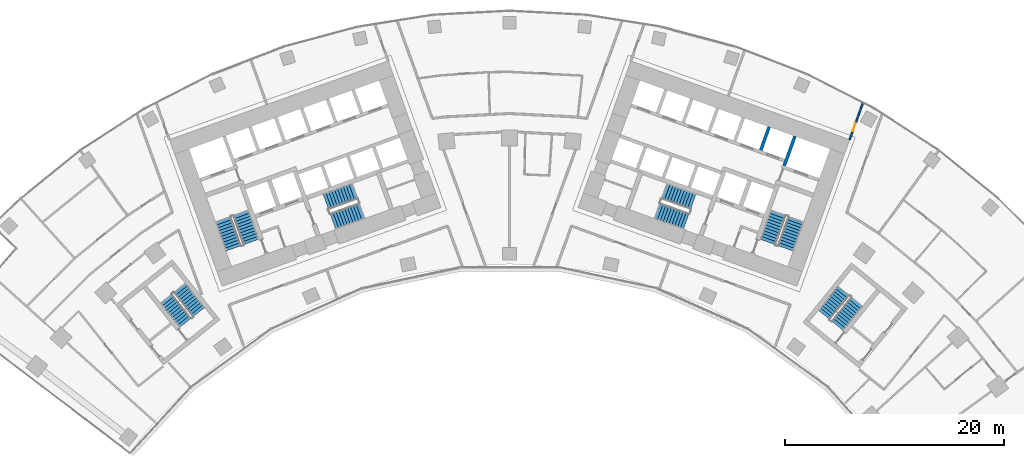
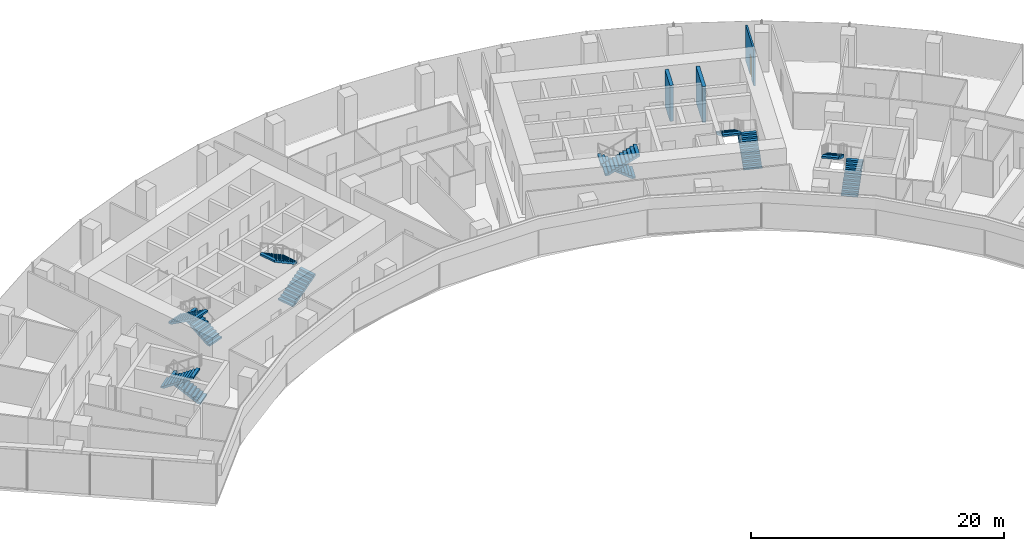
# One storey, part 19 of 21: 12 stair flights, 3 walls, 1 door, 1 opening, 6 elements without a shape of their own.
"""IFC4 building model written with IfcOpenShell, lengths in metres."""

import ifcopenshell
import ifcopenshell.guid

model = None  # the IFC model being written
_history = None  # IfcOwnerHistory: only IFC2X3 demands one
_inside = {}  # id of a spatial element -> (the spatial element, [elements in it])
_under = {}  # id of a project, library or spatial element -> (it, [spatial elements below it])
_declared = {}  # id of a project -> (the project, [libraries it declares])
_typed = {}  # id of a type object -> (the type object, [elements of that type])
_made_of = {}  # id of a material, layer set ... -> (it, [elements and type objects made of it])


def new_model(schema):
    """Start an empty IFC model of exactly this schema.

    Asked for "IFC4X3", IfcOpenShell would pick the latest addendum, in which some entities
    have other attributes; the version numbers below select the first issue.
    IFC2X3 requires an IfcOwnerHistory on every rooted entity: one is made here for all.
    """
    global model, _history
    if schema == "IFC4X3":
        model = ifcopenshell.file(schema_version=(4, 3, 0, 0))
    else:
        model = ifcopenshell.file(schema=schema)
    _inside.clear()
    _under.clear()
    _declared.clear()
    _typed.clear()
    _made_of.clear()
    _history = None
    if model.schema == "IFC2X3":
        org = make("IfcOrganization", Name="unknown")
        user = make(
            "IfcPersonAndOrganization",
            ThePerson=make("IfcPerson", FamilyName="unknown"),
            TheOrganization=org,
        )
        app = make(
            "IfcApplication",
            ApplicationDeveloper=org,
            Version="unknown",
            ApplicationFullName="unknown",
            ApplicationIdentifier="unknown",
        )
        _history = make(
            "IfcOwnerHistory",
            OwningUser=user,
            OwningApplication=app,
            ChangeAction="ADDED",
            CreationDate=0,
        )
    return model


def make(cls, **values):
    """One entity of the class cls with the attributes given. An attribute that is None is left unset."""
    return model.create_entity(
        cls, **{name: value for name, value in values.items() if value is not None}
    )


def rooted(cls, **values):
    """An entity with a GlobalId (a new one), such as an element, a storey or a relation."""
    return make(cls, GlobalId=ifcopenshell.guid.new(), OwnerHistory=_history, **values)


def si_unit(unit_type, name, prefix=None):
    """IfcSIUnit, for example si_unit("LENGTHUNIT", "METRE", prefix="MILLI")."""
    return make("IfcSIUnit", UnitType=unit_type, Prefix=prefix, Name=name)


def assignment(units):
    """IfcUnitAssignment: the units of a project."""
    return None if units is None else make("IfcUnitAssignment", Units=units)


def point(xyz):
    """IfcCartesianPoint."""
    return None if xyz is None else make("IfcCartesianPoint", Coordinates=xyz)


def direction(xyz):
    """IfcDirection."""
    return None if xyz is None else make("IfcDirection", DirectionRatios=xyz)


def frame(location, z_axis=None, x_axis=None):
    """IfcAxis2Placement3D, a coordinate frame: its origin and axes. An axis left out is left unset."""
    return make(
        "IfcAxis2Placement3D",
        Location=point(location),
        Axis=direction(z_axis),
        RefDirection=direction(x_axis),
    )


def frame_2d(location, x_axis=None):
    """IfcAxis2Placement2D, a coordinate frame in the plane: its origin and x axis."""
    return make(
        "IfcAxis2Placement2D", Location=point(location), RefDirection=direction(x_axis)
    )


def origin():
    """The frame at (0, 0, 0) with its axes left unset."""
    return frame((0.0, 0.0, 0.0))


def place(relative_to, where):
    """IfcLocalPlacement: puts the frame where relative to a parent placement (None: the world)."""
    return make(
        "IfcLocalPlacement", PlacementRelTo=relative_to, RelativePlacement=where
    )


def context(
    kind, dimensions, precision=None, world=None, true_north=None, identifier=None
):
    """IfcGeometricRepresentationContext, for example the 3D "Model" context."""
    return make(
        "IfcGeometricRepresentationContext",
        ContextIdentifier=identifier,
        ContextType=kind,
        CoordinateSpaceDimension=dimensions,
        Precision=precision,
        WorldCoordinateSystem=world,
        TrueNorth=true_north,
    )


def subcontext(parent, identifier, kind, view, scale=None):
    """IfcGeometricRepresentationSubContext, for example "Body" below "Model"."""
    return make(
        "IfcGeometricRepresentationSubContext",
        ContextIdentifier=identifier,
        ContextType=kind,
        ParentContext=parent,
        TargetScale=scale,
        TargetView=view,
    )


def project(units=None, contexts=None):
    """IfcProject with its units and contexts."""
    return rooted(
        "IfcProject",
        Name="project",
        RepresentationContexts=contexts,
        UnitsInContext=assignment(units),
    )


def spatial(cls, under=None, at=None, **own):
    """A site, building, storey or space (cls), placed at a placement, below another one or the project."""
    s = rooted(cls, ObjectPlacement=at, **own)
    if under is not None:
        _under.setdefault(under.id(), (under, []))[1].append(s)
    return s


def polyline(points):
    """IfcPolyline through the points."""
    return make("IfcPolyline", Points=[point(p) for p in points])


def profile(cls, at=None, kind="AREA", **sizes):
    """A parametric profile (cls). Its sizes go by their IFC names, for example OverallWidth=200.0."""
    return make(cls, ProfileType=kind, Position=at, **sizes)


def rectangle(**sizes):
    """IfcRectangleProfileDef."""
    return profile("IfcRectangleProfileDef", **sizes)


def outline(outer, holes=None, kind="AREA"):
    """IfcArbitraryClosedProfileDef: a profile drawn as a closed curve; with holes, ...WithVoids."""
    if holes is None:
        return make("IfcArbitraryClosedProfileDef", ProfileType=kind, OuterCurve=outer)
    return make(
        "IfcArbitraryProfileDefWithVoids",
        ProfileType=kind,
        OuterCurve=outer,
        InnerCurves=holes,
    )


def extrude(swept, where, along, depth):
    """IfcExtrudedAreaSolid: the profile swept, set in the frame where, extruded along a direction by depth."""
    return make(
        "IfcExtrudedAreaSolid",
        SweptArea=swept,
        Position=where,
        ExtrudedDirection=direction(along),
        Depth=depth,
    )


def shape(context_of_items, identifier, shape_type, items):
    """IfcShapeRepresentation: the items that make up one representation, for example the "Body"."""
    return make(
        "IfcShapeRepresentation",
        ContextOfItems=context_of_items,
        RepresentationIdentifier=identifier,
        RepresentationType=shape_type,
        Items=items,
    )


def material(Name=None, Category=None):
    """IfcMaterial."""
    return make("IfcMaterial", Name=Name, Category=Category)


def layer(
    of_material, thickness, ventilated=None, Name=None, Category=None, Priority=None
):
    """IfcMaterialLayer: one layer of a wall or slab, of a material (None: an air gap)."""
    return make(
        "IfcMaterialLayer",
        Material=of_material,
        LayerThickness=thickness,
        IsVentilated=ventilated,
        Name=Name,
        Category=Category,
        Priority=Priority,
    )


def layer_set(layers, Name=None):
    """IfcMaterialLayerSet."""
    return make("IfcMaterialLayerSet", MaterialLayers=layers, LayerSetName=Name)


def made_of(thing, what):
    """Note that an element or type object is made of a material, layer set ...; save() writes the relation."""
    if what is not None:
        _made_of.setdefault(what.id(), (what, []))[1].append(thing)
    return thing


def type_object(cls, material=None, **own):
    """A type object (cls), such as IfcWallType, which elements share."""
    return made_of(rooted(cls, **own), material)


def element(
    cls,
    number,
    at=None,
    inside=None,
    cuts=None,
    type_object=None,
    material=None,
    context=None,
    identifier="Body",
    shape_type=None,
    held_by="IfcProductDefinitionShape",
    body=None,
    shapes=None,
    **own,
):
    """One element of the class cls, such as IfcWall. Its Tag is "e" and its number.

    at: its placement. inside: the storey or other place that contains it. cuts: it is an
    opening in that element (IfcRelVoidsElement). A single representation is given by context,
    identifier, shape_type and body (its items); several are given by shapes. held_by: the class
    of the entity that holds the representations. save() writes the other relations.
    """
    e = rooted(cls, Tag="e%d" % number, ObjectPlacement=at, **own)
    if body is not None:
        shapes = [shape(context, identifier, shape_type, body)]
    if shapes is not None:
        e.Representation = make(held_by, Representations=shapes)
    if inside is not None:
        _inside.setdefault(inside.id(), (inside, []))[1].append(e)
    if cuts is not None:
        rooted(
            "IfcRelVoidsElement", RelatingBuildingElement=cuts, RelatedOpeningElement=e
        )
    if type_object is not None:
        _typed.setdefault(type_object.id(), (type_object, []))[1].append(e)
    return made_of(e, material)


def fill(opening, filler):
    """IfcRelFillsElement: the door or window that sits in an opening."""
    return rooted(
        "IfcRelFillsElement",
        RelatingOpeningElement=opening,
        RelatedBuildingElement=filler,
    )


def aggregate(whole, parts):
    """IfcRelAggregates: a whole, such as a stair, and the parts it consists of."""
    return rooted("IfcRelAggregates", RelatingObject=whole, RelatedObjects=parts)


def save(model, path):
    """Write the relations noted so far, then the file.

    IfcRelAggregates (storeys below a building ...), IfcRelContainedInSpatialStructure (elements
    in a storey), IfcRelDefinesByType, IfcRelAssociatesMaterial and IfcRelDeclares: one each for
    every whole, place, type object, material and project.
    """
    for whole, parts in _under.values():
        aggregate(whole, parts)
    for where, things in _inside.values():
        rooted(
            "IfcRelContainedInSpatialStructure",
            RelatedElements=things,
            RelatingStructure=where,
        )
    for kind, things in _typed.values():
        rooted("IfcRelDefinesByType", RelatedObjects=things, RelatingType=kind)
    for what, things in _made_of.values():
        rooted("IfcRelAssociatesMaterial", RelatedObjects=things, RelatingMaterial=what)
    for by, libraries in _declared.values():
        rooted("IfcRelDeclares", RelatingContext=by, RelatedDefinitions=libraries)
    model.write(path)


model = new_model("IFC4")

# Units and contexts
model_context = context("Model", 3, precision=1e-05, world=origin(), true_north=direction((0.0, 1.0)))
body_context = subcontext(model_context, "Body", "Model", "MODEL_VIEW")
ifc_project = project(units=[si_unit("LENGTHUNIT", "METRE"), si_unit("AREAUNIT", "SQUARE_METRE"), si_unit("VOLUMEUNIT", "CUBIC_METRE"), si_unit("PLANEANGLEUNIT", "RADIAN"), si_unit("MASSUNIT", "GRAM", prefix="KILO")], contexts=[model_context])

# Site, building, storey
site_placement = place(None, origin())
site = spatial("IfcSite", under=ifc_project, at=site_placement, CompositionType="ELEMENT")
building_placement = place(site_placement, origin())
building = spatial("IfcBuilding", under=site, at=building_placement, Name="Stone Belt Terrace Tower", CompositionType="ELEMENT")
storey_placement = place(building_placement, frame((0.0, 0.0, 90.800048828125)))
storey = spatial("IfcBuildingStorey", under=building, at=storey_placement, Name="L21", CompositionType="ELEMENT", Elevation=90.800048828125)

# Walls
ifc_material_1 = material(Name="Concrete B80", Category="concrete")
ifc_layer_1 = layer(ifc_material_1, 0.300048828125)
ifc_layer_set_1 = layer_set([ifc_layer_1], Name="Lift shaft wall 300")
wall_type_1 = type_object("IfcWallType", Name="Lift shaft wall 300", PredefinedType="SHEAR", material=ifc_layer_set_1)
wall_1_placement = place(storey_placement, frame((25.046875, 52.46826171875, 0.0), z_axis=(0.0, 0.0, 1.0), x_axis=(0.338549588058, 0.940948551423, 0.0)))
element("IfcWall", 1, at=wall_1_placement, inside=storey, type_object=wall_type_1, Name="Core B wall", PredefinedType="SHEAR", context=body_context, shape_type="SweptSolid", body=[
    extrude(rectangle(XDim=2.849853515625, YDim=0.300048828125, at=frame_2d((1.4248046875, 0.0))), origin(), (0.0, 0.0, 1.0), 3.47998046875),
])
wall_2_placement = place(storey_placement, frame((22.897705078125, 53.87939453125, 0.0), z_axis=(0.0, 0.0, 1.0), x_axis=(0.338535034312, 0.940953787677, 0.0)))
element("IfcWall", 2, at=wall_2_placement, inside=storey, type_object=wall_type_1, Name="Core B wall", PredefinedType="SHEAR", context=body_context, shape_type="SweptSolid", body=[
    extrude(rectangle(XDim=2.25, YDim=0.300048828125, at=frame_2d((1.125, 0.0))), origin(), (0.0, 0.0, 1.0), 3.47998046875),
])

# Wall, opening, door
ifc_material_2 = material(Name="Gypsum board partition")
ifc_layer_2 = layer(ifc_material_2, 0.14990234375)
ifc_layer_set_2 = layer_set([ifc_layer_2], Name="PARTITION 150 EI 60")
wall_type_2 = type_object("IfcWallType", Name="PARTITION 150 EI 60", PredefinedType="PARTITIONING", material=ifc_layer_set_2)
wall_3_placement = place(storey_placement, frame((31.001953125, 54.842041015625, 0.0), z_axis=(0.0, 0.0, 1.0), x_axis=(0.338573586736, 0.940939916448, 0.0)))
wall_3 = element("IfcWall", 3, at=wall_3_placement, inside=storey, type_object=wall_type_2, Name="L21/wall/i021", PredefinedType="PARTITIONING", context=body_context, shape_type="SweptSolid", body=[
    extrude(rectangle(XDim=3.49658203125, YDim=0.14990234375, at=frame_2d((1.748291015625, 0.0))), origin(), (0.0, 0.0, 1.0), 3.47998046875),
])
opening_placement = place(wall_3_placement, frame((0.82421875, 0.0, 0.0)))
opening = element("IfcOpeningElement", 4, at=opening_placement, cuts=wall_3, Name="Opening D-B2-08", PredefinedType="OPENING", context=body_context, shape_type="SweptSolid", body=[
    extrude(rectangle(XDim=0.800048828125, YDim=2.10009765625, at=frame_2d((0.39990234375, 1.050048828125))), frame((0.0, 0.0849609375, 0.0), z_axis=(0.0, -1.0, 0.0), x_axis=(1.0, 0.0, 0.0)), (0.0, 0.0, 1.0), 0.169921875),
])
ifc_material_3 = material(Name="Timber door leaf", Category="wood")
door_type = type_object("IfcDoorType", Name="STORE DOOR 800 X 2100", OperationType="NOTDEFINED", PredefinedType="DOOR", material=ifc_material_3)
door_placement = place(opening_placement, origin())
door = element("IfcDoor", 5, at=door_placement, inside=storey, type_object=door_type, Name="L21/door/i08", OperationType="SINGLE_SWING_LEFT", OverallHeight=2.10009765625, OverallWidth=0.800048828125, PredefinedType="DOOR", context=body_context, shape_type="SweptSolid", body=[
    extrude(rectangle(XDim=0.800048828125, YDim=2.10009765625, at=frame_2d((0.39990234375, 1.050048828125))), frame((0.0, 0.02490234375, 0.0), z_axis=(0.0, -1.0, 0.0), x_axis=(1.0, 0.0, 0.0)), (0.0, 0.0, 1.0), 0.050048828125),
])
fill(opening, door)

# Stair, stair flights
ifc_material_4 = material(Name="Concrete B40", Category="concrete")
stair_type = type_object("IfcStairType", Name="Exit stair 1500", PredefinedType="HALF_TURN_STAIR", material=ifc_material_4)
stair_1_placement = place(storey_placement, origin())
stair_1 = element("IfcStair", 6, at=stair_1_placement, inside=storey, type_object=stair_type, Name="L21 Exit stair 1 core A", PredefinedType="HALF_TURN_STAIR")
stair_flight_type = type_object("IfcStairFlightType", Name="Stair flight 1500", PredefinedType="STRAIGHT", material=ifc_material_4)
stair_flight_1_placement = place(storey_placement, frame((-23.55322265625, 45.51318359375, 0.0), z_axis=(0.0, 0.0, 1.0), x_axis=(-0.338624396177, 0.940921632398, 0.0)))
stair_flight_1 = element("IfcStairFlight", 7, at=stair_flight_1_placement, type_object=stair_flight_type, Name="ST1A flight 1", NumberOfRisers=11, NumberOfTreads=10, PredefinedType="STRAIGHT", RiserHeight=0.172727273, TreadLength=0.28, context=body_context, shape_type="SweptSolid", body=[
    extrude(outline(polyline([(0.0, 0.0), (0.0, 0.172607421875), (0.280029296875, 0.172607421875), (0.280029296875, 0.345458984375), (0.56005859375, 0.345458984375), (0.56005859375, 0.51806640625), (0.840087890625, 0.51806640625), (0.840087890625, 0.69091796875), (1.1201171875, 0.69091796875), (1.1201171875, 0.863525390625), (1.39990234375, 0.863525390625), (1.39990234375, 1.036376953125), (1.679931640625, 1.036376953125), (1.679931640625, 1.208984375), (1.9599609375, 1.208984375), (1.9599609375, 1.3818359375), (2.239990234375, 1.3818359375), (2.239990234375, 1.554443359375), (2.52001953125, 1.554443359375), (2.52001953125, 1.727294921875), (2.800048828125, 1.727294921875), (2.800048828125, 1.89990234375), (2.800048828125, 1.551025390625), (0.285400390625, 0.0), (0.0, 0.0)])), frame((0.0, 0.75, 0.0), z_axis=(0.0, -1.0, 0.0), x_axis=(1.0, 0.0, 0.0)), (0.0, 0.0, 1.0), 1.5),
])
stair_flight_2_placement = place(storey_placement, frame((-26.10107421875, 47.572021484375, 1.89990234375), z_axis=(0.0, 0.0, 1.0), x_axis=(0.338624396177, -0.940921632398, 0.0)))
stair_flight_2 = element("IfcStairFlight", 8, at=stair_flight_2_placement, type_object=stair_flight_type, Name="ST1A flight 2", NumberOfRisers=11, NumberOfTreads=10, PredefinedType="STRAIGHT", RiserHeight=0.172727273, TreadLength=0.28, context=body_context, shape_type="SweptSolid", body=[
    extrude(outline(polyline([(0.0, 0.0), (0.0, 0.172607421875), (0.280029296875, 0.172607421875), (0.280029296875, 0.345458984375), (0.56005859375, 0.345458984375), (0.56005859375, 0.51806640625), (0.840087890625, 0.51806640625), (0.840087890625, 0.69091796875), (1.1201171875, 0.69091796875), (1.1201171875, 0.863525390625), (1.39990234375, 0.863525390625), (1.39990234375, 1.036376953125), (1.679931640625, 1.036376953125), (1.679931640625, 1.208984375), (1.9599609375, 1.208984375), (1.9599609375, 1.3818359375), (2.239990234375, 1.3818359375), (2.239990234375, 1.554443359375), (2.52001953125, 1.554443359375), (2.52001953125, 1.727294921875), (2.800048828125, 1.727294921875), (2.800048828125, 1.89990234375), (2.800048828125, 1.551025390625), (0.285400390625, 0.0), (0.0, 0.0)])), frame((0.0, 0.75, 0.0), z_axis=(0.0, -1.0, 0.0), x_axis=(1.0, 0.0, 0.0)), (0.0, 0.0, 1.0), 1.5),
])
aggregate(stair_1, [stair_flight_1, stair_flight_2])

stair_2_placement = place(storey_placement, origin())
stair_2 = element("IfcStair", 9, at=stair_2_placement, inside=storey, type_object=stair_type, Name="L21 Exit stair 2 core A", PredefinedType="HALF_TURN_STAIR")
stair_flight_3_placement = place(storey_placement, frame((-16.101318359375, 47.39794921875, 0.0), z_axis=(0.0, 0.0, 1.0), x_axis=(0.940921632398, 0.338624396177, 0.0)))
stair_flight_3 = element("IfcStairFlight", 10, at=stair_flight_3_placement, type_object=stair_flight_type, Name="ST2A flight 1", NumberOfRisers=11, NumberOfTreads=10, PredefinedType="STRAIGHT", RiserHeight=0.172727273, TreadLength=0.28, context=body_context, shape_type="SweptSolid", body=[
    extrude(outline(polyline([(0.0, 0.0), (0.0, 0.172607421875), (0.280029296875, 0.172607421875), (0.280029296875, 0.345458984375), (0.56005859375, 0.345458984375), (0.56005859375, 0.51806640625), (0.840087890625, 0.51806640625), (0.840087890625, 0.69091796875), (1.1201171875, 0.69091796875), (1.1201171875, 0.863525390625), (1.39990234375, 0.863525390625), (1.39990234375, 1.036376953125), (1.679931640625, 1.036376953125), (1.679931640625, 1.208984375), (1.9599609375, 1.208984375), (1.9599609375, 1.3818359375), (2.239990234375, 1.3818359375), (2.239990234375, 1.554443359375), (2.52001953125, 1.554443359375), (2.52001953125, 1.727294921875), (2.800048828125, 1.727294921875), (2.800048828125, 1.89990234375), (2.800048828125, 1.551025390625), (0.285400390625, 0.0), (0.0, 0.0)])), frame((0.0, 0.75, 0.0), z_axis=(0.0, -1.0, 0.0), x_axis=(1.0, 0.0, 0.0)), (0.0, 0.0, 1.0), 1.5),
])
stair_flight_4_placement = place(storey_placement, frame((-14.110107421875, 50.1337890625, 1.89990234375), z_axis=(0.0, 0.0, 1.0), x_axis=(-0.940921632398, -0.338624396177, 0.0)))
stair_flight_4 = element("IfcStairFlight", 11, at=stair_flight_4_placement, type_object=stair_flight_type, Name="ST2A flight 2", NumberOfRisers=11, NumberOfTreads=10, PredefinedType="STRAIGHT", RiserHeight=0.172727273, TreadLength=0.28, context=body_context, shape_type="SweptSolid", body=[
    extrude(outline(polyline([(0.0, 0.0), (0.0, 0.172607421875), (0.280029296875, 0.172607421875), (0.280029296875, 0.345458984375), (0.56005859375, 0.345458984375), (0.56005859375, 0.51806640625), (0.840087890625, 0.51806640625), (0.840087890625, 0.69091796875), (1.1201171875, 0.69091796875), (1.1201171875, 0.863525390625), (1.39990234375, 0.863525390625), (1.39990234375, 1.036376953125), (1.679931640625, 1.036376953125), (1.679931640625, 1.208984375), (1.9599609375, 1.208984375), (1.9599609375, 1.3818359375), (2.239990234375, 1.3818359375), (2.239990234375, 1.554443359375), (2.52001953125, 1.554443359375), (2.52001953125, 1.727294921875), (2.800048828125, 1.727294921875), (2.800048828125, 1.89990234375), (2.800048828125, 1.551025390625), (0.285400390625, 0.0), (0.0, 0.0)])), frame((0.0, 0.75, 0.0), z_axis=(0.0, -1.0, 0.0), x_axis=(1.0, 0.0, 0.0)), (0.0, 0.0, 1.0), 1.5),
])
aggregate(stair_2, [stair_flight_3, stair_flight_4])

stair_3_placement = place(storey_placement, origin())
stair_3 = element("IfcStair", 12, at=stair_3_placement, inside=storey, type_object=stair_type, Name="L21 Exit stair 1 core B", PredefinedType="HALF_TURN_STAIR")
stair_flight_5_placement = place(storey_placement, frame((25.15283203125, 44.9375, 0.0), z_axis=(0.0, 0.0, 1.0), x_axis=(0.338624396177, 0.940921632398, 0.0)))
stair_flight_5 = element("IfcStairFlight", 13, at=stair_flight_5_placement, type_object=stair_flight_type, Name="ST1B flight 1", NumberOfRisers=11, NumberOfTreads=10, PredefinedType="STRAIGHT", RiserHeight=0.172727273, TreadLength=0.28, context=body_context, shape_type="SweptSolid", body=[
    extrude(outline(polyline([(0.0, 0.0), (0.0, 0.172607421875), (0.280029296875, 0.172607421875), (0.280029296875, 0.345458984375), (0.56005859375, 0.345458984375), (0.56005859375, 0.51806640625), (0.840087890625, 0.51806640625), (0.840087890625, 0.69091796875), (1.1201171875, 0.69091796875), (1.1201171875, 0.863525390625), (1.39990234375, 0.863525390625), (1.39990234375, 1.036376953125), (1.679931640625, 1.036376953125), (1.679931640625, 1.208984375), (1.9599609375, 1.208984375), (1.9599609375, 1.3818359375), (2.239990234375, 1.3818359375), (2.239990234375, 1.554443359375), (2.52001953125, 1.554443359375), (2.52001953125, 1.727294921875), (2.800048828125, 1.727294921875), (2.800048828125, 1.89990234375), (2.800048828125, 1.551025390625), (0.285400390625, 0.0), (0.0, 0.0)])), frame((0.0, 0.75, 0.0), z_axis=(0.0, -1.0, 0.0), x_axis=(1.0, 0.0, 0.0)), (0.0, 0.0, 1.0), 1.5),
])
stair_flight_6_placement = place(storey_placement, frame((24.50146484375, 48.147705078125, 1.89990234375), z_axis=(0.0, 0.0, 1.0), x_axis=(-0.338624396177, -0.940921632398, 0.0)))
stair_flight_6 = element("IfcStairFlight", 14, at=stair_flight_6_placement, type_object=stair_flight_type, Name="ST1B flight 2", NumberOfRisers=11, NumberOfTreads=10, PredefinedType="STRAIGHT", RiserHeight=0.172727273, TreadLength=0.28, context=body_context, shape_type="SweptSolid", body=[
    extrude(outline(polyline([(0.0, 0.0), (0.0, 0.172607421875), (0.280029296875, 0.172607421875), (0.280029296875, 0.345458984375), (0.56005859375, 0.345458984375), (0.56005859375, 0.51806640625), (0.840087890625, 0.51806640625), (0.840087890625, 0.69091796875), (1.1201171875, 0.69091796875), (1.1201171875, 0.863525390625), (1.39990234375, 0.863525390625), (1.39990234375, 1.036376953125), (1.679931640625, 1.036376953125), (1.679931640625, 1.208984375), (1.9599609375, 1.208984375), (1.9599609375, 1.3818359375), (2.239990234375, 1.3818359375), (2.239990234375, 1.554443359375), (2.52001953125, 1.554443359375), (2.52001953125, 1.727294921875), (2.800048828125, 1.727294921875), (2.800048828125, 1.89990234375), (2.800048828125, 1.551025390625), (0.285400390625, 0.0), (0.0, 0.0)])), frame((0.0, 0.75, 0.0), z_axis=(0.0, -1.0, 0.0), x_axis=(1.0, 0.0, 0.0)), (0.0, 0.0, 1.0), 1.5),
])
aggregate(stair_3, [stair_flight_5, stair_flight_6])

stair_4_placement = place(storey_placement, origin())
stair_4 = element("IfcStair", 15, at=stair_4_placement, inside=storey, type_object=stair_type, Name="L21 Exit stair 2 core B", PredefinedType="HALF_TURN_STAIR")
stair_flight_7_placement = place(storey_placement, frame((16.74462890625, 49.185546875, 0.0), z_axis=(0.0, 0.0, 1.0), x_axis=(-0.940921632398, 0.338624396177, 0.0)))
stair_flight_7 = element("IfcStairFlight", 16, at=stair_flight_7_placement, type_object=stair_flight_type, Name="ST2B flight 1", NumberOfRisers=11, NumberOfTreads=10, PredefinedType="STRAIGHT", RiserHeight=0.172727273, TreadLength=0.28, context=body_context, shape_type="SweptSolid", body=[
    extrude(outline(polyline([(0.0, 0.0), (0.0, 0.172607421875), (0.280029296875, 0.172607421875), (0.280029296875, 0.345458984375), (0.56005859375, 0.345458984375), (0.56005859375, 0.51806640625), (0.840087890625, 0.51806640625), (0.840087890625, 0.69091796875), (1.1201171875, 0.69091796875), (1.1201171875, 0.863525390625), (1.39990234375, 0.863525390625), (1.39990234375, 1.036376953125), (1.679931640625, 1.036376953125), (1.679931640625, 1.208984375), (1.9599609375, 1.208984375), (1.9599609375, 1.3818359375), (2.239990234375, 1.3818359375), (2.239990234375, 1.554443359375), (2.52001953125, 1.554443359375), (2.52001953125, 1.727294921875), (2.800048828125, 1.727294921875), (2.800048828125, 1.89990234375), (2.800048828125, 1.551025390625), (0.285400390625, 0.0), (0.0, 0.0)])), frame((0.0, 0.75, 0.0), z_axis=(0.0, -1.0, 0.0), x_axis=(1.0, 0.0, 0.0)), (0.0, 0.0, 1.0), 1.5),
])
stair_flight_8_placement = place(storey_placement, frame((13.466796875, 48.345947265625, 1.89990234375), z_axis=(0.0, 0.0, 1.0), x_axis=(0.940921632398, -0.338624396177, 0.0)))
stair_flight_8 = element("IfcStairFlight", 17, at=stair_flight_8_placement, type_object=stair_flight_type, Name="ST2B flight 2", NumberOfRisers=11, NumberOfTreads=10, PredefinedType="STRAIGHT", RiserHeight=0.172727273, TreadLength=0.28, context=body_context, shape_type="SweptSolid", body=[
    extrude(outline(polyline([(0.0, 0.0), (0.0, 0.172607421875), (0.280029296875, 0.172607421875), (0.280029296875, 0.345458984375), (0.56005859375, 0.345458984375), (0.56005859375, 0.51806640625), (0.840087890625, 0.51806640625), (0.840087890625, 0.69091796875), (1.1201171875, 0.69091796875), (1.1201171875, 0.863525390625), (1.39990234375, 0.863525390625), (1.39990234375, 1.036376953125), (1.679931640625, 1.036376953125), (1.679931640625, 1.208984375), (1.9599609375, 1.208984375), (1.9599609375, 1.3818359375), (2.239990234375, 1.3818359375), (2.239990234375, 1.554443359375), (2.52001953125, 1.554443359375), (2.52001953125, 1.727294921875), (2.800048828125, 1.727294921875), (2.800048828125, 1.89990234375), (2.800048828125, 1.551025390625), (0.285400390625, 0.0), (0.0, 0.0)])), frame((0.0, 0.75, 0.0), z_axis=(0.0, -1.0, 0.0), x_axis=(1.0, 0.0, 0.0)), (0.0, 0.0, 1.0), 1.5),
])
aggregate(stair_4, [stair_flight_7, stair_flight_8])

stair_5_placement = place(storey_placement, origin())
stair_5 = element("IfcStair", 18, at=stair_5_placement, inside=storey, type_object=stair_type, Name="L21 Exit stair 3A", PredefinedType="HALF_TURN_STAIR")
stair_flight_9_placement = place(storey_placement, frame((-28.325439453125, 39.1240234375, 0.0), z_axis=(0.0, 0.0, 1.0), x_axis=(-0.623121363691, 0.782125160132, 0.0)))
stair_flight_9 = element("IfcStairFlight", 19, at=stair_flight_9_placement, type_object=stair_flight_type, Name="ST3A flight 1", NumberOfRisers=11, NumberOfTreads=10, PredefinedType="STRAIGHT", RiserHeight=0.172727273, TreadLength=0.28, context=body_context, shape_type="SweptSolid", body=[
    extrude(outline(polyline([(0.0, 0.0), (0.0, 0.172607421875), (0.280029296875, 0.172607421875), (0.280029296875, 0.345458984375), (0.56005859375, 0.345458984375), (0.56005859375, 0.51806640625), (0.840087890625, 0.51806640625), (0.840087890625, 0.69091796875), (1.1201171875, 0.69091796875), (1.1201171875, 0.863525390625), (1.39990234375, 0.863525390625), (1.39990234375, 1.036376953125), (1.679931640625, 1.036376953125), (1.679931640625, 1.208984375), (1.9599609375, 1.208984375), (1.9599609375, 1.3818359375), (2.239990234375, 1.3818359375), (2.239990234375, 1.554443359375), (2.52001953125, 1.554443359375), (2.52001953125, 1.727294921875), (2.800048828125, 1.727294921875), (2.800048828125, 1.89990234375), (2.800048828125, 1.551025390625), (0.285400390625, 0.0), (0.0, 0.0)])), frame((0.0, 0.675048828125, 0.0), z_axis=(0.0, -1.0, 0.0), x_axis=(1.0, 0.0, 0.0)), (0.0, 0.0, 1.0), 1.35009765625),
])
stair_flight_10_placement = place(storey_placement, frame((-31.282470703125, 40.34814453125, 1.89990234375), z_axis=(0.0, 0.0, 1.0), x_axis=(0.623121363691, -0.782125160132, 0.0)))
stair_flight_10 = element("IfcStairFlight", 20, at=stair_flight_10_placement, type_object=stair_flight_type, Name="ST3A flight 2", NumberOfRisers=11, NumberOfTreads=10, PredefinedType="STRAIGHT", RiserHeight=0.172727273, TreadLength=0.28, context=body_context, shape_type="SweptSolid", body=[
    extrude(outline(polyline([(0.0, 0.0), (0.0, 0.172607421875), (0.280029296875, 0.172607421875), (0.280029296875, 0.345458984375), (0.56005859375, 0.345458984375), (0.56005859375, 0.51806640625), (0.840087890625, 0.51806640625), (0.840087890625, 0.69091796875), (1.1201171875, 0.69091796875), (1.1201171875, 0.863525390625), (1.39990234375, 0.863525390625), (1.39990234375, 1.036376953125), (1.679931640625, 1.036376953125), (1.679931640625, 1.208984375), (1.9599609375, 1.208984375), (1.9599609375, 1.3818359375), (2.239990234375, 1.3818359375), (2.239990234375, 1.554443359375), (2.52001953125, 1.554443359375), (2.52001953125, 1.727294921875), (2.800048828125, 1.727294921875), (2.800048828125, 1.89990234375), (2.800048828125, 1.551025390625), (0.285400390625, 0.0), (0.0, 0.0)])), frame((0.0, 0.675048828125, 0.0), z_axis=(0.0, -1.0, 0.0), x_axis=(1.0, 0.0, 0.0)), (0.0, 0.0, 1.0), 1.35009765625),
])
aggregate(stair_5, [stair_flight_9, stair_flight_10])

stair_6_placement = place(storey_placement, origin())
stair_6 = element("IfcStair", 21, at=stair_6_placement, inside=storey, type_object=stair_type, Name="L21 Exit stair 3B", PredefinedType="HALF_TURN_STAIR")
stair_flight_11_placement = place(storey_placement, frame((29.88330078125, 37.887939453125, 0.0), z_axis=(0.0, 0.0, 1.0), x_axis=(0.630205749599, 0.776428176441, 0.0)))
stair_flight_11 = element("IfcStairFlight", 22, at=stair_flight_11_placement, type_object=stair_flight_type, Name="ST3B flight 1", NumberOfRisers=11, NumberOfTreads=10, PredefinedType="STRAIGHT", RiserHeight=0.172727273, TreadLength=0.28, context=body_context, shape_type="SweptSolid", body=[
    extrude(outline(polyline([(0.0, 0.0), (0.0, 0.172607421875), (0.280029296875, 0.172607421875), (0.280029296875, 0.345458984375), (0.56005859375, 0.345458984375), (0.56005859375, 0.51806640625), (0.840087890625, 0.51806640625), (0.840087890625, 0.69091796875), (1.1201171875, 0.69091796875), (1.1201171875, 0.863525390625), (1.39990234375, 0.863525390625), (1.39990234375, 1.036376953125), (1.679931640625, 1.036376953125), (1.679931640625, 1.208984375), (1.9599609375, 1.208984375), (1.9599609375, 1.3818359375), (2.239990234375, 1.3818359375), (2.239990234375, 1.554443359375), (2.52001953125, 1.554443359375), (2.52001953125, 1.727294921875), (2.800048828125, 1.727294921875), (2.800048828125, 1.89990234375), (2.800048828125, 1.551025390625), (0.285400390625, 0.0), (0.0, 0.0)])), frame((0.0, 0.675048828125, 0.0), z_axis=(0.0, -1.0, 0.0), x_axis=(1.0, 0.0, 0.0)), (0.0, 0.0, 1.0), 1.35009765625),
])
stair_flight_12_placement = place(storey_placement, frame((30.4443359375, 41.038818359375, 1.89990234375), z_axis=(0.0, 0.0, 1.0), x_axis=(-0.630205749599, -0.776428176441, 0.0)))
stair_flight_12 = element("IfcStairFlight", 23, at=stair_flight_12_placement, type_object=stair_flight_type, Name="ST3B flight 2", NumberOfRisers=11, NumberOfTreads=10, PredefinedType="STRAIGHT", RiserHeight=0.172727273, TreadLength=0.28, context=body_context, shape_type="SweptSolid", body=[
    extrude(outline(polyline([(0.0, 0.0), (0.0, 0.172607421875), (0.280029296875, 0.172607421875), (0.280029296875, 0.345458984375), (0.56005859375, 0.345458984375), (0.56005859375, 0.51806640625), (0.840087890625, 0.51806640625), (0.840087890625, 0.69091796875), (1.1201171875, 0.69091796875), (1.1201171875, 0.863525390625), (1.39990234375, 0.863525390625), (1.39990234375, 1.036376953125), (1.679931640625, 1.036376953125), (1.679931640625, 1.208984375), (1.9599609375, 1.208984375), (1.9599609375, 1.3818359375), (2.239990234375, 1.3818359375), (2.239990234375, 1.554443359375), (2.52001953125, 1.554443359375), (2.52001953125, 1.727294921875), (2.800048828125, 1.727294921875), (2.800048828125, 1.89990234375), (2.800048828125, 1.551025390625), (0.285400390625, 0.0), (0.0, 0.0)])), frame((0.0, 0.675048828125, 0.0), z_axis=(0.0, -1.0, 0.0), x_axis=(1.0, 0.0, 0.0)), (0.0, 0.0, 1.0), 1.35009765625),
])
aggregate(stair_6, [stair_flight_11, stair_flight_12])

save(model, "model.ifc")
